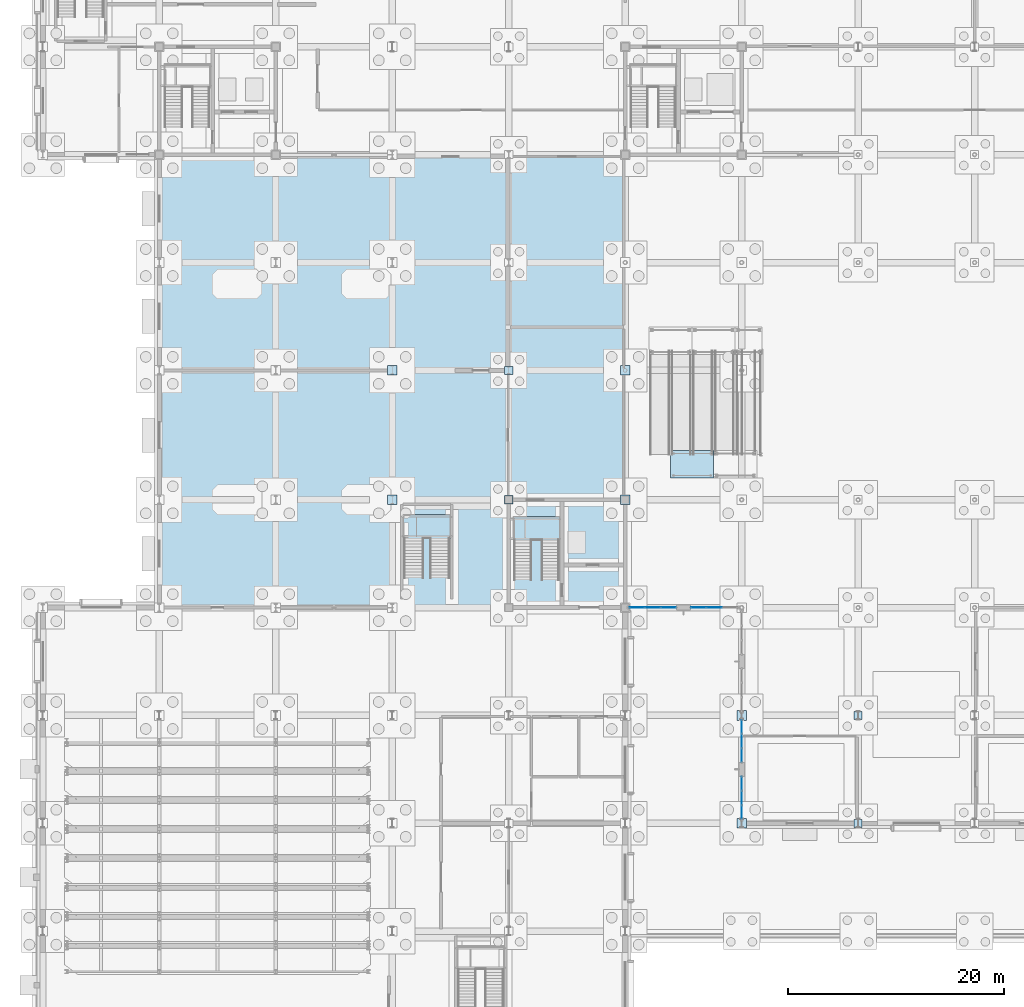
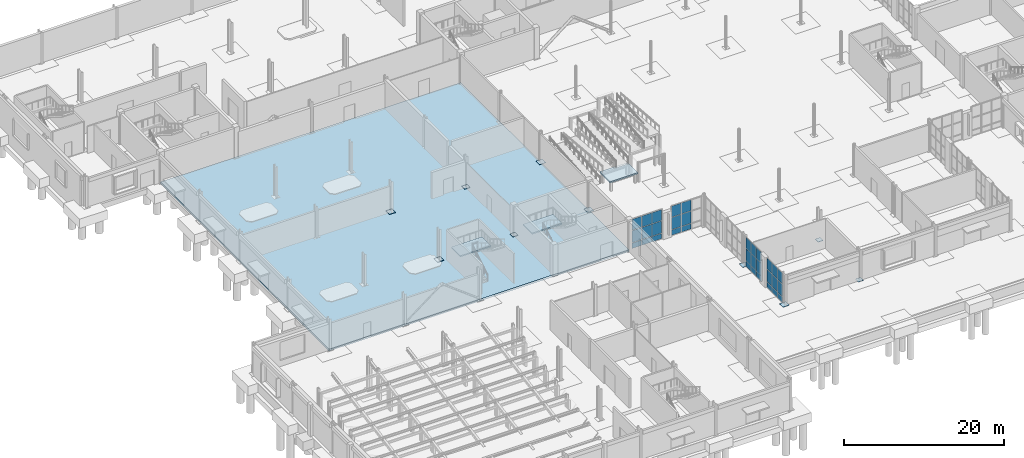
# One storey, part 40 of 73: 43 plates, 4 slabs, 7 elements without a shape of their own.
"""IFC4 building model written with IfcOpenShell, lengths in metres."""

from ifc_helpers import new_model, si_unit, direction, frame, origin, origin_2d, place, context, subcontext, project, spatial, polyline, rectangle, outline, extrude, material, layer, layer_set, type_object, element, aggregate, save


model = new_model("IFC4")

# Units and contexts
model_context = context("Model", 3, precision=1e-05, world=origin(), true_north=direction((0.0, 1.0)))
body_context = subcontext(model_context, "Body", "Model", "MODEL_VIEW")
ifc_project = project(units=[si_unit("LENGTHUNIT", "METRE"), si_unit("AREAUNIT", "SQUARE_METRE"), si_unit("VOLUMEUNIT", "CUBIC_METRE"), si_unit("PLANEANGLEUNIT", "RADIAN"), si_unit("MASSUNIT", "GRAM", prefix="KILO")], contexts=[model_context])

# Site, building, storey
site_placement = place(None, origin())
site = spatial("IfcSite", under=ifc_project, at=site_placement, CompositionType="ELEMENT")
building_placement = place(site_placement, origin())
building = spatial("IfcBuilding", under=site, at=building_placement, Name="Tasgan Crest Museum", CompositionType="ELEMENT")
storey_placement = place(building_placement, origin())
storey = spatial("IfcBuildingStorey", under=building, at=storey_placement, Name="L00", CompositionType="ELEMENT", Elevation=0.0)

# Curtain wall, plates
ifc_material_1 = material(Name="Triple-Glazed Aluminium Curtain Wall", Category="aluminium")
ifc_layer_1 = layer(ifc_material_1, 0.179931640625, Name="CW-DRUM-X-48")
ifc_layer_set_1 = layer_set([ifc_layer_1], Name="Triple-Glazed Aluminium Curtain Wall")
curtain_wall_type_1 = type_object("IfcCurtainWallType", Name="CW-DRUM-X-48", PredefinedType="NOTDEFINED", material=ifc_layer_set_1)
curtain_wall_1_placement = place(storey_placement, origin())
curtain_wall_1 = element("IfcCurtainWall", 1, at=curtain_wall_1_placement, inside=storey, type_object=curtain_wall_type_1, Name="Curtain wall L00 001", PredefinedType="NOTDEFINED")
ifc_material_2 = material(Name="Insulated Spandrel Glass", Category="glass")
ifc_layer_2 = layer(ifc_material_2, 0.052001953125, Name="CW-PANEL-SPANDREL")
ifc_layer_set_2 = layer_set([ifc_layer_2], Name="Insulated Spandrel Glass")
plate_type_1 = type_object("IfcPlateType", Name="CW-PANEL-SPANDREL", PredefinedType="CURTAIN_PANEL", material=ifc_layer_set_2)
plate_1_placement = place(storey_placement, frame((55.111572265625, 40.0, 0.06005859375), z_axis=(0.0, 0.0, 1.0), x_axis=(1.0, 0.0, 0.0)))
plate_1 = element("IfcPlate", 2, at=plate_1_placement, type_object=plate_type_1, Name="CW03 panel 1.1", PredefinedType="CURTAIN_PANEL", context=body_context, shape_type="SweptSolid", body=[
    extrude(rectangle(XDim=1.373291015625, YDim=0.028076171875, at=origin_2d()), origin(), (0.0, 0.0, 1.0), 0.81005859375),
])
plate_2_placement = place(storey_placement, frame((56.56005859375, 40.0, 0.06005859375), z_axis=(0.0, 0.0, 1.0), x_axis=(1.0, 0.0, 0.0)))
plate_2 = element("IfcPlate", 3, at=plate_2_placement, type_object=plate_type_1, Name="CW03 panel 2.1", PredefinedType="CURTAIN_PANEL", context=body_context, shape_type="SweptSolid", body=[
    extrude(rectangle(XDim=1.4033203125, YDim=0.028076171875, at=origin_2d()), origin(), (0.0, 0.0, 1.0), 0.81005859375),
])
plate_3_placement = place(storey_placement, frame((58.00830078125, 40.0, 0.06005859375), z_axis=(0.0, 0.0, 1.0), x_axis=(1.0, 0.0, 0.0)))
plate_3 = element("IfcPlate", 4, at=plate_3_placement, type_object=plate_type_1, Name="CW03 panel 3.1", PredefinedType="CURTAIN_PANEL", context=body_context, shape_type="SweptSolid", body=[
    extrude(rectangle(XDim=1.373291015625, YDim=0.028076171875, at=origin_2d()), origin(), (0.0, 0.0, 1.0), 0.81005859375),
])

curtain_wall_2_placement = place(storey_placement, origin())
curtain_wall_2 = element("IfcCurtainWall", 5, at=curtain_wall_2_placement, inside=storey, type_object=curtain_wall_type_1, Name="Curtain wall L00 002", PredefinedType="NOTDEFINED")
plate_4_placement = place(storey_placement, frame((60.791748046875, 40.0, 0.06005859375), z_axis=(0.0, 0.0, 1.0), x_axis=(1.0, 0.0, 0.0)))
plate_4 = element("IfcPlate", 6, at=plate_4_placement, type_object=plate_type_1, Name="CW03 panel 1.1", PredefinedType="CURTAIN_PANEL", context=body_context, shape_type="SweptSolid", body=[
    extrude(rectangle(XDim=1.373291015625, YDim=0.028076171875, at=origin_2d()), origin(), (0.0, 0.0, 1.0), 0.81005859375),
])
plate_5_placement = place(storey_placement, frame((62.239990234375, 40.0, 0.06005859375), z_axis=(0.0, 0.0, 1.0), x_axis=(1.0, 0.0, 0.0)))
plate_5 = element("IfcPlate", 7, at=plate_5_placement, type_object=plate_type_1, Name="CW03 panel 2.1", PredefinedType="CURTAIN_PANEL", context=body_context, shape_type="SweptSolid", body=[
    extrude(rectangle(XDim=1.4033203125, YDim=0.028076171875, at=origin_2d()), origin(), (0.0, 0.0, 1.0), 0.81005859375),
])

ifc_material_3 = material(Name="Triple-Glazed Aluminium Curtain Wall", Category="aluminium")
ifc_layer_3 = layer(ifc_material_3, 0.179931640625, Name="CW-PORCH-Y")
ifc_layer_set_3 = layer_set([ifc_layer_3], Name="Triple-Glazed Aluminium Curtain Wall")
curtain_wall_type_2 = type_object("IfcCurtainWallType", Name="CW-PORCH-Y", PredefinedType="NOTDEFINED", material=ifc_layer_set_3)
curtain_wall_3_placement = place(storey_placement, origin())
curtain_wall_3 = element("IfcCurtainWall", 8, at=curtain_wall_3_placement, inside=storey, type_object=curtain_wall_type_2, Name="Curtain wall L00 005", PredefinedType="NOTDEFINED")
plate_6_placement = place(storey_placement, frame((64.800048828125, 28.955078125, 0.06005859375), z_axis=(0.0, 0.0, 1.0), x_axis=(0.0, -1.0, 0.0)))
plate_6 = element("IfcPlate", 9, at=plate_6_placement, type_object=plate_type_1, Name="CW02 panel 1.1", PredefinedType="CURTAIN_PANEL", context=body_context, shape_type="SweptSolid", body=[
    extrude(rectangle(XDim=1.239990234375, YDim=0.028076171875, at=origin_2d()), origin(), (0.0, 0.0, 1.0), 0.81005859375),
])
plate_7_placement = place(storey_placement, frame((64.800048828125, 27.639892578125, 0.06005859375), z_axis=(0.0, 0.0, 1.0), x_axis=(0.0, -1.0, 0.0)))
plate_7 = element("IfcPlate", 10, at=plate_7_placement, type_object=plate_type_1, Name="CW02 panel 2.1", PredefinedType="CURTAIN_PANEL", context=body_context, shape_type="SweptSolid", body=[
    extrude(rectangle(XDim=1.27001953125, YDim=0.028076171875, at=origin_2d()), origin(), (0.0, 0.0, 1.0), 0.81005859375),
])
plate_8_placement = place(storey_placement, frame((64.800048828125, 26.324951171875, 0.06005859375), z_axis=(0.0, 0.0, 1.0), x_axis=(0.0, -1.0, 0.0)))
plate_8 = element("IfcPlate", 11, at=plate_8_placement, type_object=plate_type_1, Name="CW02 panel 3.1", PredefinedType="CURTAIN_PANEL", context=body_context, shape_type="SweptSolid", body=[
    extrude(rectangle(XDim=1.239990234375, YDim=0.028076171875, at=origin_2d()), origin(), (0.0, 0.0, 1.0), 0.81005859375),
])

curtain_wall_4_placement = place(storey_placement, origin())
curtain_wall_4 = element("IfcCurtainWall", 12, at=curtain_wall_4_placement, inside=storey, type_object=curtain_wall_type_2, Name="Curtain wall L00 006", PredefinedType="NOTDEFINED")
plate_9_placement = place(storey_placement, frame((64.800048828125, 23.675048828125, 0.06005859375), z_axis=(0.0, 0.0, 1.0), x_axis=(0.0, -1.0, 0.0)))
plate_9 = element("IfcPlate", 13, at=plate_9_placement, type_object=plate_type_1, Name="CW02 panel 1.1", PredefinedType="CURTAIN_PANEL", context=body_context, shape_type="SweptSolid", body=[
    extrude(rectangle(XDim=1.239990234375, YDim=0.028076171875, at=origin_2d()), origin(), (0.0, 0.0, 1.0), 0.81005859375),
])
plate_10_placement = place(storey_placement, frame((64.800048828125, 22.360107421875, 0.06005859375), z_axis=(0.0, 0.0, 1.0), x_axis=(0.0, -1.0, 0.0)))
plate_10 = element("IfcPlate", 14, at=plate_10_placement, type_object=plate_type_1, Name="CW02 panel 2.1", PredefinedType="CURTAIN_PANEL", context=body_context, shape_type="SweptSolid", body=[
    extrude(rectangle(XDim=1.27001953125, YDim=0.028076171875, at=origin_2d()), origin(), (0.0, 0.0, 1.0), 0.81005859375),
])
plate_11_placement = place(storey_placement, frame((64.800048828125, 21.044921875, 0.06005859375), z_axis=(0.0, 0.0, 1.0), x_axis=(0.0, -1.0, 0.0)))
plate_11 = element("IfcPlate", 15, at=plate_11_placement, type_object=plate_type_1, Name="CW02 panel 3.1", PredefinedType="CURTAIN_PANEL", context=body_context, shape_type="SweptSolid", body=[
    extrude(rectangle(XDim=1.239990234375, YDim=0.028076171875, at=origin_2d()), origin(), (0.0, 0.0, 1.0), 0.81005859375),
])

# Plate
ifc_material_4 = material(Name="Low-E Triple Glazing", Category="glass")
ifc_layer_4 = layer(ifc_material_4, 0.0439453125, Name="CW-PANEL-TRIPLE")
ifc_layer_set_4 = layer_set([ifc_layer_4], Name="Low-E Triple Glazing")
plate_type_2 = type_object("IfcPlateType", Name="CW-PANEL-TRIPLE", PredefinedType="CURTAIN_PANEL", material=ifc_layer_set_4)
plate_12_placement = place(storey_placement, frame((55.111572265625, 40.0, 0.93017578125), z_axis=(0.0, 0.0, 1.0), x_axis=(1.0, 0.0, 0.0)))
plate_12 = element("IfcPlate", 16, at=plate_12_placement, type_object=plate_type_2, Name="CW03 panel 1.2", PredefinedType="CURTAIN_PANEL", context=body_context, shape_type="SweptSolid", body=[
    extrude(rectangle(XDim=1.373291015625, YDim=0.028076171875, at=origin_2d()), origin(), (0.0, 0.0, 1.0), 1.840087890625),
])

plate_13_placement = place(storey_placement, frame((55.111572265625, 40.0, 2.830078125), z_axis=(0.0, 0.0, 1.0), x_axis=(1.0, 0.0, 0.0)))
plate_13 = element("IfcPlate", 17, at=plate_13_placement, type_object=plate_type_2, Name="CW03 panel 1.3", PredefinedType="CURTAIN_PANEL", context=body_context, shape_type="SweptSolid", body=[
    extrude(rectangle(XDim=1.373291015625, YDim=0.028076171875, at=origin_2d()), origin(), (0.0, 0.0, 1.0), 1.669921875),
])

plate_14_placement = place(storey_placement, frame((56.56005859375, 40.0, 0.93017578125), z_axis=(0.0, 0.0, 1.0), x_axis=(1.0, 0.0, 0.0)))
plate_14 = element("IfcPlate", 18, at=plate_14_placement, type_object=plate_type_2, Name="CW03 panel 2.2", PredefinedType="CURTAIN_PANEL", context=body_context, shape_type="SweptSolid", body=[
    extrude(rectangle(XDim=1.4033203125, YDim=0.028076171875, at=origin_2d()), origin(), (0.0, 0.0, 1.0), 1.840087890625),
])

plate_15_placement = place(storey_placement, frame((56.56005859375, 40.0, 2.830078125), z_axis=(0.0, 0.0, 1.0), x_axis=(1.0, 0.0, 0.0)))
plate_15 = element("IfcPlate", 19, at=plate_15_placement, type_object=plate_type_2, Name="CW03 panel 2.3", PredefinedType="CURTAIN_PANEL", context=body_context, shape_type="SweptSolid", body=[
    extrude(rectangle(XDim=1.4033203125, YDim=0.028076171875, at=origin_2d()), origin(), (0.0, 0.0, 1.0), 1.669921875),
])

plate_16_placement = place(storey_placement, frame((58.00830078125, 40.0, 0.93017578125), z_axis=(0.0, 0.0, 1.0), x_axis=(1.0, 0.0, 0.0)))
plate_16 = element("IfcPlate", 20, at=plate_16_placement, type_object=plate_type_2, Name="CW03 panel 3.2", PredefinedType="CURTAIN_PANEL", context=body_context, shape_type="SweptSolid", body=[
    extrude(rectangle(XDim=1.373291015625, YDim=0.028076171875, at=origin_2d()), origin(), (0.0, 0.0, 1.0), 1.840087890625),
])

plate_17_placement = place(storey_placement, frame((58.00830078125, 40.0, 2.830078125), z_axis=(0.0, 0.0, 1.0), x_axis=(1.0, 0.0, 0.0)))
plate_17 = element("IfcPlate", 21, at=plate_17_placement, type_object=plate_type_2, Name="CW03 panel 3.3", PredefinedType="CURTAIN_PANEL", context=body_context, shape_type="SweptSolid", body=[
    extrude(rectangle(XDim=1.373291015625, YDim=0.028076171875, at=origin_2d()), origin(), (0.0, 0.0, 1.0), 1.669921875),
])

aggregate(curtain_wall_1, [plate_1, plate_12, plate_13, plate_2, plate_14, plate_15, plate_3, plate_16, plate_17])

plate_18_placement = place(storey_placement, frame((60.791748046875, 40.0, 0.93017578125), z_axis=(0.0, 0.0, 1.0), x_axis=(1.0, 0.0, 0.0)))
plate_18 = element("IfcPlate", 22, at=plate_18_placement, type_object=plate_type_2, Name="CW03 panel 1.2", PredefinedType="CURTAIN_PANEL", context=body_context, shape_type="SweptSolid", body=[
    extrude(rectangle(XDim=1.373291015625, YDim=0.028076171875, at=origin_2d()), origin(), (0.0, 0.0, 1.0), 1.840087890625),
])

plate_19_placement = place(storey_placement, frame((60.791748046875, 40.0, 2.830078125), z_axis=(0.0, 0.0, 1.0), x_axis=(1.0, 0.0, 0.0)))
plate_19 = element("IfcPlate", 23, at=plate_19_placement, type_object=plate_type_2, Name="CW03 panel 1.3", PredefinedType="CURTAIN_PANEL", context=body_context, shape_type="SweptSolid", body=[
    extrude(rectangle(XDim=1.373291015625, YDim=0.028076171875, at=origin_2d()), origin(), (0.0, 0.0, 1.0), 1.669921875),
])

plate_20_placement = place(storey_placement, frame((62.239990234375, 40.0, 0.93017578125), z_axis=(0.0, 0.0, 1.0), x_axis=(1.0, 0.0, 0.0)))
plate_20 = element("IfcPlate", 24, at=plate_20_placement, type_object=plate_type_2, Name="CW03 panel 2.2", PredefinedType="CURTAIN_PANEL", context=body_context, shape_type="SweptSolid", body=[
    extrude(rectangle(XDim=1.4033203125, YDim=0.028076171875, at=origin_2d()), origin(), (0.0, 0.0, 1.0), 1.840087890625),
])

plate_21_placement = place(storey_placement, frame((62.239990234375, 40.0, 2.830078125), z_axis=(0.0, 0.0, 1.0), x_axis=(1.0, 0.0, 0.0)))
plate_21 = element("IfcPlate", 25, at=plate_21_placement, type_object=plate_type_2, Name="CW03 panel 2.3", PredefinedType="CURTAIN_PANEL", context=body_context, shape_type="SweptSolid", body=[
    extrude(rectangle(XDim=1.4033203125, YDim=0.028076171875, at=origin_2d()), origin(), (0.0, 0.0, 1.0), 1.669921875),
])

aggregate(curtain_wall_2, [plate_4, plate_18, plate_19, plate_5, plate_20, plate_21])

plate_22_placement = place(storey_placement, frame((64.800048828125, 28.955078125, 0.93017578125), z_axis=(0.0, 0.0, 1.0), x_axis=(0.0, -1.0, 0.0)))
plate_22 = element("IfcPlate", 26, at=plate_22_placement, type_object=plate_type_2, Name="CW02 panel 1.2", PredefinedType="CURTAIN_PANEL", context=body_context, shape_type="SweptSolid", body=[
    extrude(rectangle(XDim=1.239990234375, YDim=0.028076171875, at=origin_2d()), origin(), (0.0, 0.0, 1.0), 1.840087890625),
])

plate_23_placement = place(storey_placement, frame((64.800048828125, 28.955078125, 2.830078125), z_axis=(0.0, 0.0, 1.0), x_axis=(0.0, -1.0, 0.0)))
plate_23 = element("IfcPlate", 27, at=plate_23_placement, type_object=plate_type_2, Name="CW02 panel 1.3", PredefinedType="CURTAIN_PANEL", context=body_context, shape_type="SweptSolid", body=[
    extrude(rectangle(XDim=1.239990234375, YDim=0.028076171875, at=origin_2d()), origin(), (0.0, 0.0, 1.0), 1.669921875),
])

plate_24_placement = place(storey_placement, frame((64.800048828125, 27.639892578125, 0.93017578125), z_axis=(0.0, 0.0, 1.0), x_axis=(0.0, -1.0, 0.0)))
plate_24 = element("IfcPlate", 28, at=plate_24_placement, type_object=plate_type_2, Name="CW02 panel 2.2", PredefinedType="CURTAIN_PANEL", context=body_context, shape_type="SweptSolid", body=[
    extrude(rectangle(XDim=1.27001953125, YDim=0.028076171875, at=origin_2d()), origin(), (0.0, 0.0, 1.0), 1.840087890625),
])

plate_25_placement = place(storey_placement, frame((64.800048828125, 27.639892578125, 2.830078125), z_axis=(0.0, 0.0, 1.0), x_axis=(0.0, -1.0, 0.0)))
plate_25 = element("IfcPlate", 29, at=plate_25_placement, type_object=plate_type_2, Name="CW02 panel 2.3", PredefinedType="CURTAIN_PANEL", context=body_context, shape_type="SweptSolid", body=[
    extrude(rectangle(XDim=1.27001953125, YDim=0.028076171875, at=origin_2d()), origin(), (0.0, 0.0, 1.0), 1.669921875),
])

plate_26_placement = place(storey_placement, frame((64.800048828125, 26.324951171875, 0.93017578125), z_axis=(0.0, 0.0, 1.0), x_axis=(0.0, -1.0, 0.0)))
plate_26 = element("IfcPlate", 30, at=plate_26_placement, type_object=plate_type_2, Name="CW02 panel 3.2", PredefinedType="CURTAIN_PANEL", context=body_context, shape_type="SweptSolid", body=[
    extrude(rectangle(XDim=1.239990234375, YDim=0.028076171875, at=origin_2d()), origin(), (0.0, 0.0, 1.0), 1.840087890625),
])

plate_27_placement = place(storey_placement, frame((64.800048828125, 26.324951171875, 2.830078125), z_axis=(0.0, 0.0, 1.0), x_axis=(0.0, -1.0, 0.0)))
plate_27 = element("IfcPlate", 31, at=plate_27_placement, type_object=plate_type_2, Name="CW02 panel 3.3", PredefinedType="CURTAIN_PANEL", context=body_context, shape_type="SweptSolid", body=[
    extrude(rectangle(XDim=1.239990234375, YDim=0.028076171875, at=origin_2d()), origin(), (0.0, 0.0, 1.0), 1.669921875),
])

aggregate(curtain_wall_3, [plate_6, plate_22, plate_23, plate_7, plate_24, plate_25, plate_8, plate_26, plate_27])

plate_28_placement = place(storey_placement, frame((64.800048828125, 23.675048828125, 0.93017578125), z_axis=(0.0, 0.0, 1.0), x_axis=(0.0, -1.0, 0.0)))
plate_28 = element("IfcPlate", 32, at=plate_28_placement, type_object=plate_type_2, Name="CW02 panel 1.2", PredefinedType="CURTAIN_PANEL", context=body_context, shape_type="SweptSolid", body=[
    extrude(rectangle(XDim=1.239990234375, YDim=0.028076171875, at=origin_2d()), origin(), (0.0, 0.0, 1.0), 1.840087890625),
])

plate_29_placement = place(storey_placement, frame((64.800048828125, 23.675048828125, 2.830078125), z_axis=(0.0, 0.0, 1.0), x_axis=(0.0, -1.0, 0.0)))
plate_29 = element("IfcPlate", 33, at=plate_29_placement, type_object=plate_type_2, Name="CW02 panel 1.3", PredefinedType="CURTAIN_PANEL", context=body_context, shape_type="SweptSolid", body=[
    extrude(rectangle(XDim=1.239990234375, YDim=0.028076171875, at=origin_2d()), origin(), (0.0, 0.0, 1.0), 1.669921875),
])

plate_30_placement = place(storey_placement, frame((64.800048828125, 22.360107421875, 0.93017578125), z_axis=(0.0, 0.0, 1.0), x_axis=(0.0, -1.0, 0.0)))
plate_30 = element("IfcPlate", 34, at=plate_30_placement, type_object=plate_type_2, Name="CW02 panel 2.2", PredefinedType="CURTAIN_PANEL", context=body_context, shape_type="SweptSolid", body=[
    extrude(rectangle(XDim=1.27001953125, YDim=0.028076171875, at=origin_2d()), origin(), (0.0, 0.0, 1.0), 1.840087890625),
])

plate_31_placement = place(storey_placement, frame((64.800048828125, 22.360107421875, 2.830078125), z_axis=(0.0, 0.0, 1.0), x_axis=(0.0, -1.0, 0.0)))
plate_31 = element("IfcPlate", 35, at=plate_31_placement, type_object=plate_type_2, Name="CW02 panel 2.3", PredefinedType="CURTAIN_PANEL", context=body_context, shape_type="SweptSolid", body=[
    extrude(rectangle(XDim=1.27001953125, YDim=0.028076171875, at=origin_2d()), origin(), (0.0, 0.0, 1.0), 1.669921875),
])

plate_32_placement = place(storey_placement, frame((64.800048828125, 21.044921875, 0.93017578125), z_axis=(0.0, 0.0, 1.0), x_axis=(0.0, -1.0, 0.0)))
plate_32 = element("IfcPlate", 36, at=plate_32_placement, type_object=plate_type_2, Name="CW02 panel 3.2", PredefinedType="CURTAIN_PANEL", context=body_context, shape_type="SweptSolid", body=[
    extrude(rectangle(XDim=1.239990234375, YDim=0.028076171875, at=origin_2d()), origin(), (0.0, 0.0, 1.0), 1.840087890625),
])

plate_33_placement = place(storey_placement, frame((64.800048828125, 21.044921875, 2.830078125), z_axis=(0.0, 0.0, 1.0), x_axis=(0.0, -1.0, 0.0)))
plate_33 = element("IfcPlate", 37, at=plate_33_placement, type_object=plate_type_2, Name="CW02 panel 3.3", PredefinedType="CURTAIN_PANEL", context=body_context, shape_type="SweptSolid", body=[
    extrude(rectangle(XDim=1.239990234375, YDim=0.028076171875, at=origin_2d()), origin(), (0.0, 0.0, 1.0), 1.669921875),
])

aggregate(curtain_wall_4, [plate_9, plate_28, plate_29, plate_10, plate_30, plate_31, plate_11, plate_32, plate_33])

# Plates
ifc_material_5 = material(Name="Steel S355K2", Category="steel")
ifc_layer_5 = layer(ifc_material_5, 0.75, Name="PL-BASE-750")
ifc_layer_set_5 = layer_set([ifc_layer_5], Name="Steel S355K2")
plate_type_3 = type_object("IfcPlateType", Name="PL-BASE-750", PredefinedType="USERDEFINED", material=ifc_layer_set_5)
for number, where, z_axis, x_axis, name in (
    (38, (43.199951171875, 50.0, 0.0), (0.0, 0.0, 1.0), (1.0, 0.0, 0.0), "Base plate 5/F"),
    (39, (43.199951171875, 62.0, 0.0), (0.0, 0.0, 1.0), (1.0, 0.0, 0.0), "Base plate 5/G"),
    (40, (75.60009765625, 20.0, 0.0), (0.0, 0.0, 1.0), (1.0, 0.0, 0.0), "Base plate 8/C"),
    (41, (75.60009765625, 30.0, 0.0), (0.0, 0.0, 1.0), (1.0, 0.0, 0.0), "Base plate 8/D"),
):
    element("IfcPlate", number, at=place(storey_placement, frame(where, z_axis=z_axis, x_axis=x_axis)), inside=storey, type_object=plate_type_3, Name=name, ObjectType="BASE PLATE", PredefinedType="USERDEFINED", context=body_context, shape_type="SweptSolid", body=[
        extrude(rectangle(XDim=0.75, YDim=0.75, at=origin_2d()), origin(), (0.0, 0.0, 1.0), 0.031982421875),
    ])
ifc_material_6 = material(Name="Steel S355K2", Category="steel")
ifc_layer_6 = layer(ifc_material_6, 0.89990234375, Name="PL-BASE-900")
ifc_layer_set_6 = layer_set([ifc_layer_6], Name="Steel S355K2")
plate_type_4 = type_object("IfcPlateType", Name="PL-BASE-900", PredefinedType="USERDEFINED", material=ifc_layer_set_6)
for number, where, z_axis, x_axis, name in (
    (42, (32.39990234375, 50.0, 0.0), (0.0, 0.0, 1.0), (1.0, 0.0, 0.0), "Base plate 4/F"),
    (43, (32.39990234375, 62.0, 0.0), (0.0, 0.0, 1.0), (1.0, 0.0, 0.0), "Base plate 4/G"),
    (44, (54.0, 50.0, 0.0), (0.0, 0.0, 1.0), (1.0, 0.0, 0.0), "Base plate 6/F"),
    (45, (54.0, 62.0, 0.0), (0.0, 0.0, 1.0), (1.0, 0.0, 0.0), "Base plate 6/G"),
    (46, (64.800048828125, 20.0, 0.0), (0.0, 0.0, 1.0), (1.0, 0.0, 0.0), "Base plate 7/C"),
    (47, (64.800048828125, 30.0, 0.0), (0.0, 0.0, 1.0), (1.0, 0.0, 0.0), "Base plate 7/D"),
):
    element("IfcPlate", number, at=place(storey_placement, frame(where, z_axis=z_axis, x_axis=x_axis)), inside=storey, type_object=plate_type_4, Name=name, ObjectType="BASE PLATE", PredefinedType="USERDEFINED", context=body_context, shape_type="SweptSolid", body=[
        extrude(rectangle(XDim=0.89990234375, YDim=0.89990234375, at=origin_2d()), origin(), (0.0, 0.0, 1.0), 0.035888671875),
    ])

# Slab
ifc_material_7 = material(Name="Concrete C35/45", Category="concrete")
ifc_layer_7 = layer(ifc_material_7, 0.300048828125, Name="SL-BASE-300")
ifc_layer_set_7 = layer_set([ifc_layer_7], Name="Concrete C35/45")
slab_type_1 = type_object("IfcSlabType", Name="SL-BASE-300", PredefinedType="BASESLAB", material=ifc_layer_set_7)
slab_1_placement = place(storey_placement, frame((0.0, 0.0, -0.300048828125)))
element("IfcSlab", 48, at=slab_1_placement, inside=storey, type_object=slab_type_1, Name="Floor slab L00 V4", PredefinedType="BASESLAB", context=body_context, shape_type="SweptSolid", body=[
    extrude(outline(polyline([(10.800048828125, 40.0), (54.0, 40.0), (54.0, 82.0), (10.800048828125, 82.0), (10.800048828125, 40.0)])), origin(), (0.0, 0.0, 1.0), 0.300048828125),
])

# Stair, slab
ifc_material_8 = material(Name="Concrete C35/45", Category="concrete")
stair_type = type_object("IfcStairType", Name="ST-CORE-48", PredefinedType="HALF_TURN_STAIR", material=ifc_material_8)
stair_1_placement = place(storey_placement, origin())
stair_1 = element("IfcStair", 49, at=stair_1_placement, inside=storey, type_object=stair_type, Name="Stair ST-SW-L00 L00", PredefinedType="HALF_TURN_STAIR")
ifc_material_9 = material(Name="Concrete C35/45", Category="concrete")
ifc_layer_8 = layer(ifc_material_9, 0.199951171875, Name="SL-LAND-200")
ifc_layer_set_8 = layer_set([ifc_layer_8], Name="Concrete C35/45")
slab_type_2 = type_object("IfcSlabType", Name="SL-LAND-200", PredefinedType="LANDING", material=ifc_layer_set_8)
slab_2_placement = place(storey_placement, frame((0.0, 0.0, 2.199951171875)))
slab_2 = element("IfcSlab", 50, at=slab_2_placement, type_object=slab_type_2, Name="ST-SW-L00 landing 1", PredefinedType="LANDING", context=body_context, shape_type="SweptSolid", body=[
    extrude(outline(polyline([(43.6201171875, 46.205078125), (47.929931640625, 46.205078125), (47.929931640625, 48.455078125), (43.6201171875, 48.455078125), (43.6201171875, 46.205078125)])), origin(), (0.0, 0.0, 1.0), 0.199951171875),
])
aggregate(stair_1, [slab_2])

stair_2_placement = place(storey_placement, origin())
stair_2 = element("IfcStair", 51, at=stair_2_placement, inside=storey, type_object=stair_type, Name="Stair ST-GP-L00 L00", PredefinedType="HALF_TURN_STAIR")
slab_3_placement = place(storey_placement, frame((0.0, 0.0, 2.199951171875)))
slab_3 = element("IfcSlab", 52, at=slab_3_placement, type_object=slab_type_2, Name="ST-GP-L00 landing 1", PredefinedType="LANDING", context=body_context, shape_type="SweptSolid", body=[
    extrude(outline(polyline([(33.39990234375, 46.405029296875), (37.800048828125, 46.405029296875), (37.800048828125, 48.655029296875), (33.39990234375, 48.655029296875), (33.39990234375, 46.405029296875)])), origin(), (0.0, 0.0, 1.0), 0.199951171875),
])
aggregate(stair_2, [slab_3])

# Ramp, slab
ifc_material_10 = material(Name="Concrete C35/45", Category="concrete")
ramp_type = type_object("IfcRampType", Name="RMP-ATRIUM-12", PredefinedType="HALF_TURN_RAMP", material=ifc_material_10)
ramp_placement = place(storey_placement, origin())
ramp = element("IfcRamp", 53, at=ramp_placement, inside=storey, type_object=ramp_type, Name="Winter-garden accessible switchback ramp", PredefinedType="HALF_TURN_RAMP")
slab_4_placement = place(storey_placement, frame((0.0, 0.0, 1.39990234375)))
slab_4 = element("IfcSlab", 54, at=slab_4_placement, type_object=slab_type_2, Name="Winter-garden ramp landing 2", PredefinedType="LANDING", context=body_context, shape_type="SweptSolid", body=[
    extrude(outline(polyline([(58.199951171875, 52.0), (62.199951171875, 52.0), (62.199951171875, 54.550048828125), (58.199951171875, 54.550048828125), (58.199951171875, 52.0)])), origin(), (0.0, 0.0, 1.0), 0.2001953125),
])
aggregate(ramp, [slab_4])

save(model, "model.ifc")
